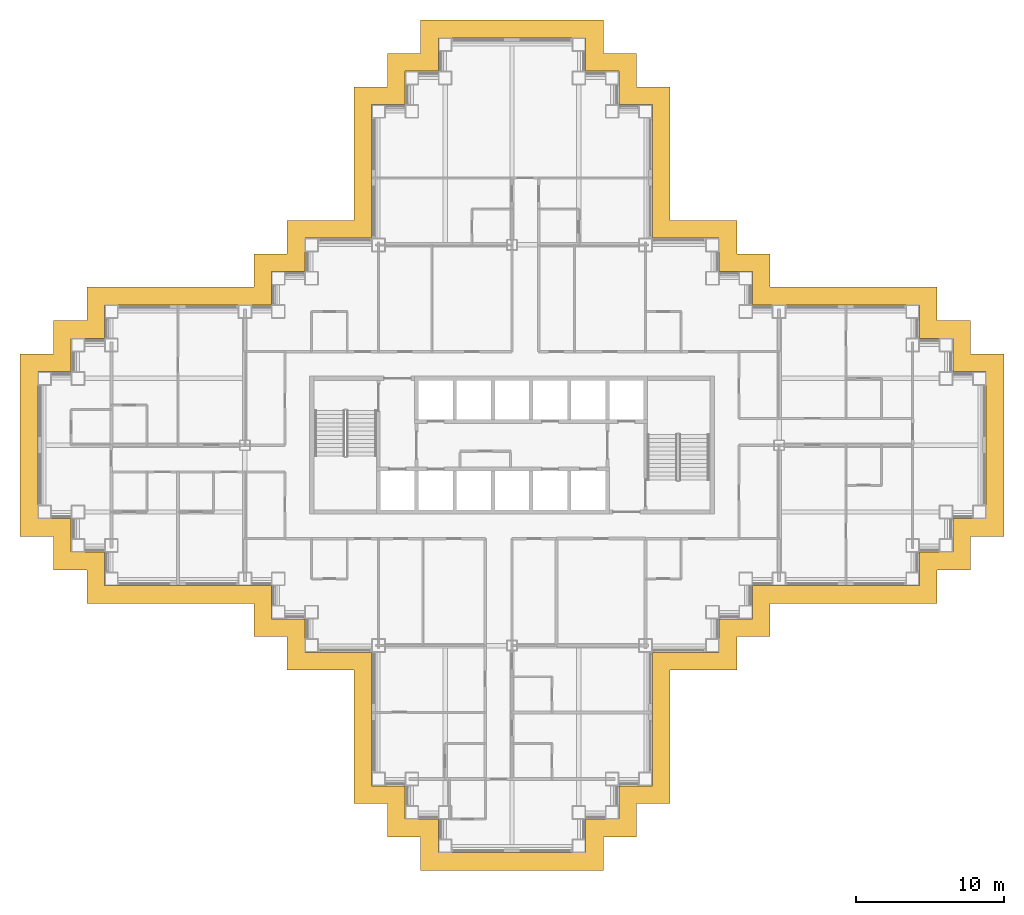
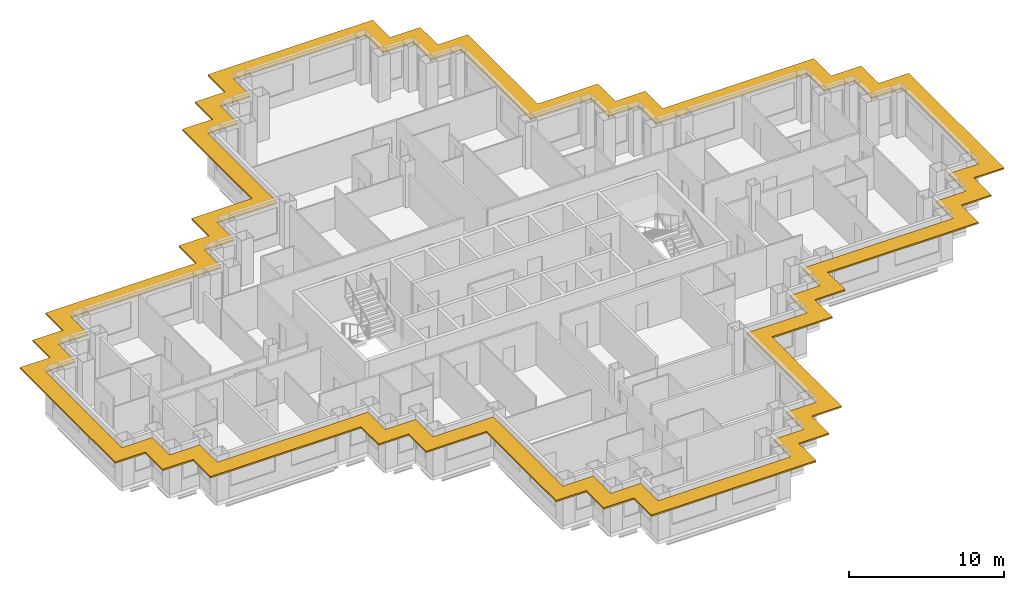
# One storey, part 14 of 15: 1 shading device.
"""IFC4 building model written with IfcOpenShell, lengths in metres."""

from ifc_helpers import new_model, si_unit, direction, frame, origin, place, context, subcontext, project, spatial, polyline, outline, extrude, material, layer, layer_set, type_object, element, save


model = new_model("IFC4")

# Units and contexts
model_context = context("Model", 3, precision=1e-05, world=origin(), true_north=direction((0.0, 1.0)))
body_context = subcontext(model_context, "Body", "Model", "MODEL_VIEW")
ifc_project = project(units=[si_unit("LENGTHUNIT", "METRE"), si_unit("AREAUNIT", "SQUARE_METRE"), si_unit("VOLUMEUNIT", "CUBIC_METRE"), si_unit("PLANEANGLEUNIT", "RADIAN"), si_unit("MASSUNIT", "GRAM", prefix="KILO")], contexts=[model_context])

# Site, building, storey
site_placement = place(None, origin())
site = spatial("IfcSite", under=ifc_project, at=site_placement, CompositionType="ELEMENT")
building_placement = place(site_placement, origin())
building = spatial("IfcBuilding", under=site, at=building_placement, Name="Caravel Reach Hotel and Residences", CompositionType="ELEMENT")
storey_placement = place(building_placement, frame((0.0, 0.0, 104.39990234375)))
storey = spatial("IfcBuildingStorey", under=building, at=storey_placement, Name="L25", CompositionType="ELEMENT", Elevation=104.39990234375)

# Shading device
ifc_material = material(Name="Black powder-coated aluminium", Category="aluminium")
ifc_layer = layer(ifc_material, 0.1201171875)
ifc_layer_set = layer_set([ifc_layer], Name="SS1 Sunshade band 1200")
shading_device_type = type_object("IfcShadingDeviceType", Name="SS1 Sunshade band 1200", PredefinedType="USERDEFINED", material=ifc_layer_set)
shading_device_placement = place(storey_placement, frame((0.0, 0.0, 3.0400390625)))
element("IfcShadingDevice", 1, at=shading_device_placement, inside=storey, type_object=shading_device_type, Name="Sunshade L25 1", ObjectType="SUNSHADE", PredefinedType="USERDEFINED", context=body_context, shape_type="SweptSolid", body=[
    extrude(outline(polyline([(20.85009765625, 11.85009765625), (20.85009765625, 2.85009765625), (23.10009765625, 2.85009765625), (23.10009765625, 0.60009765625), (25.35009765625, 0.60009765625), (25.35009765625, -1.64990234375), (37.64990234375, -1.64990234375), (37.64990234375, 0.60009765625), (39.89990234375, 0.60009765625), (39.89990234375, 2.85009765625), (42.14990234375, 2.85009765625), (42.14990234375, 11.85009765625), (46.64990234375, 11.85009765625), (46.64990234375, 14.10009765625), (48.89990234375, 14.10009765625), (48.89990234375, 16.35009765625), (60.14990234375, 16.35009765625), (60.14990234375, 18.60009765625), (62.39990234375, 18.60009765625), (62.39990234375, 20.85009765625), (64.64990234375, 20.85009765625), (64.64990234375, 33.14990234375), (62.39990234375, 33.14990234375), (62.39990234375, 35.39990234375), (60.14990234375, 35.39990234375), (60.14990234375, 37.64990234375), (48.89990234375, 37.64990234375), (48.89990234375, 39.89990234375), (46.64990234375, 39.89990234375), (46.64990234375, 42.14990234375), (42.14990234375, 42.14990234375), (42.14990234375, 51.14990234375), (39.89990234375, 51.14990234375), (39.89990234375, 53.39990234375), (37.64990234375, 53.39990234375), (37.64990234375, 55.64990234375), (25.35009765625, 55.64990234375), (25.35009765625, 53.39990234375), (23.10009765625, 53.39990234375), (23.10009765625, 51.14990234375), (20.85009765625, 51.14990234375), (20.85009765625, 42.14990234375), (16.35009765625, 42.14990234375), (16.35009765625, 39.89990234375), (14.10009765625, 39.89990234375), (14.10009765625, 37.64990234375), (2.85009765625, 37.64990234375), (2.85009765625, 35.39990234375), (0.60009765625, 35.39990234375), (0.60009765625, 33.14990234375), (-1.64990234375, 33.14990234375), (-1.64990234375, 20.85009765625), (0.60009765625, 20.85009765625), (0.60009765625, 18.60009765625), (2.85009765625, 18.60009765625), (2.85009765625, 16.35009765625), (14.10009765625, 16.35009765625), (14.10009765625, 14.10009765625), (16.35009765625, 14.10009765625), (16.35009765625, 11.85009765625), (20.85009765625, 11.85009765625)]), holes=[polyline([(24.300048828125, 4.050048828125), (22.050048828125, 4.050048828125), (22.050048828125, 13.050048828125), (17.550048828125, 13.050048828125), (17.550048828125, 15.300048828125), (15.300048828125, 15.300048828125), (15.300048828125, 17.550048828125), (4.050048828125, 17.550048828125), (4.050048828125, 19.800048828125), (1.800048828125, 19.800048828125), (1.800048828125, 22.050048828125), (-0.449951171875, 22.050048828125), (-0.449951171875, 31.949951171875), (1.800048828125, 31.949951171875), (1.800048828125, 34.199951171875), (4.050048828125, 34.199951171875), (4.050048828125, 36.449951171875), (15.300048828125, 36.449951171875), (15.300048828125, 38.699951171875), (17.550048828125, 38.699951171875), (17.550048828125, 40.949951171875), (22.050048828125, 40.949951171875), (22.050048828125, 49.949951171875), (24.300048828125, 49.949951171875), (24.300048828125, 52.199951171875), (26.550048828125, 52.199951171875), (26.550048828125, 54.449951171875), (36.449951171875, 54.449951171875), (36.449951171875, 52.199951171875), (38.699951171875, 52.199951171875), (38.699951171875, 49.949951171875), (40.949951171875, 49.949951171875), (40.949951171875, 40.949951171875), (45.449951171875, 40.949951171875), (45.449951171875, 38.699951171875), (47.699951171875, 38.699951171875), (47.699951171875, 36.449951171875), (58.949951171875, 36.449951171875), (58.949951171875, 34.199951171875), (61.199951171875, 34.199951171875), (61.199951171875, 31.949951171875), (63.449951171875, 31.949951171875), (63.449951171875, 22.050048828125), (61.199951171875, 22.050048828125), (61.199951171875, 19.800048828125), (58.949951171875, 19.800048828125), (58.949951171875, 17.550048828125), (47.699951171875, 17.550048828125), (47.699951171875, 15.300048828125), (45.449951171875, 15.300048828125), (45.449951171875, 13.050048828125), (40.949951171875, 13.050048828125), (40.949951171875, 4.050048828125), (38.699951171875, 4.050048828125), (38.699951171875, 1.800048828125), (36.449951171875, 1.800048828125), (36.449951171875, -0.449951171875), (26.550048828125, -0.449951171875), (26.550048828125, 1.800048828125), (24.300048828125, 1.800048828125), (24.300048828125, 4.050048828125)])]), origin(), (0.0, 0.0, 1.0), 0.1201171875),
])

save(model, "model.ifc")
